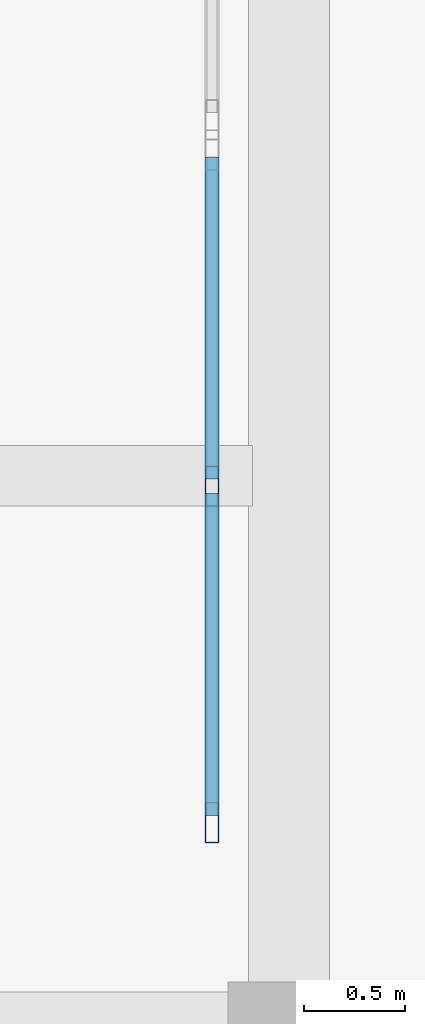
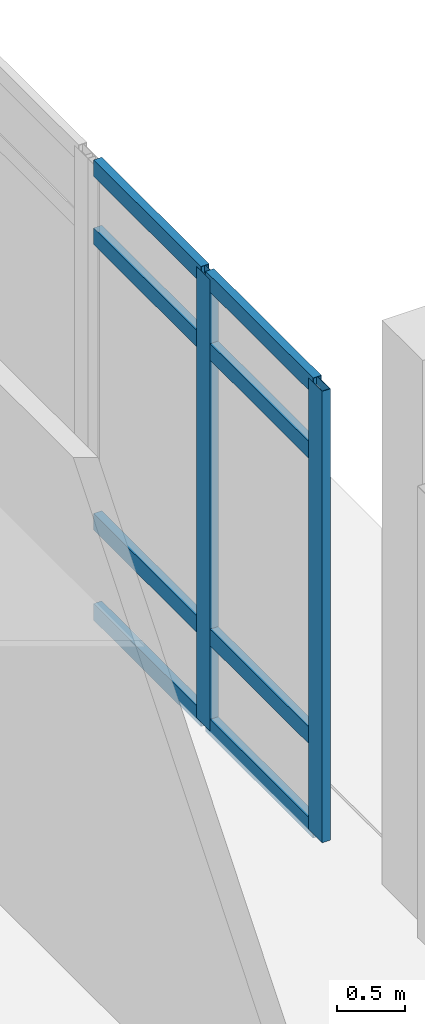
# One storey, part 28 of 64: 10 members, 1 element without a shape of its own.
"""IFC4 building model written with IfcOpenShell, lengths in metres."""

from ifc_helpers import new_model, si_unit, derived_unit, direction, frame, origin, origin_2d, place, context, subcontext, project, spatial, hollow_rectangle, extrude, material, layer, layer_set, material_profile, profile_set, type_object, element, aggregate, save


model = new_model("IFC4")

# Units and contexts
model_context = context("Model", 3, precision=1e-05, world=origin(), true_north=direction((0.0, 1.0)))
body_context = subcontext(model_context, "Body", "Model", "MODEL_VIEW")
ifc_project = project(units=[si_unit("LENGTHUNIT", "METRE"), si_unit("AREAUNIT", "SQUARE_METRE"), si_unit("VOLUMEUNIT", "CUBIC_METRE"), si_unit("PLANEANGLEUNIT", "RADIAN"), si_unit("MASSUNIT", "GRAM", prefix="KILO"), derived_unit("THERMALTRANSMITTANCEUNIT", [(si_unit("POWERUNIT", "WATT"), 1), (si_unit("LENGTHUNIT", "METRE"), -2), (si_unit("THERMODYNAMICTEMPERATUREUNIT", "KELVIN"), -1)])], contexts=[model_context])

# Site, building, storey
site_placement = place(None, origin())
site = spatial("IfcSite", under=ifc_project, at=site_placement, CompositionType="ELEMENT")
building_placement = place(site_placement, origin())
building = spatial("IfcBuilding", under=site, at=building_placement, Name="Elbkamm Science Centre", CompositionType="ELEMENT")
storey_placement = place(building_placement, origin())
storey = spatial("IfcBuildingStorey", under=building, at=storey_placement, Name="L00", CompositionType="ELEMENT", Elevation=0.0)

# Curtain wall, members
ifc_material_1 = material(Name="Powder-coated aluminium and triple low-E glazing", Category="aluminium")
ifc_layer = layer(ifc_material_1, 0.159912109375)
ifc_layer_set = layer_set([ifc_layer], Name="Powder-coated aluminium and triple low-E glazing")
curtain_wall_type = type_object("IfcCurtainWallType", Name="CW-UNIT-3400x4080", PredefinedType="USERDEFINED", material=ifc_layer_set)
curtain_wall_placement = place(storey_placement, origin())
curtain_wall = element("IfcCurtainWall", 1, at=curtain_wall_placement, inside=storey, type_object=curtain_wall_type, Name="L00 Unitised Curtain Wall 117", ObjectType="UNITISED CURTAIN WALL", PredefinedType="USERDEFINED")
ifc_material_2 = material(Name="Powder-coated aluminium EN AW-6060", Category="aluminium")
ifc_material_profile_1 = material_profile(ifc_material_2, hollow_rectangle(XDim=0.070068359375, YDim=0.199951171875, WallThickness=0.00439453125, at=origin_2d()), Name="ALU M70x200")
ifc_profile_set_1 = profile_set([ifc_material_profile_1], Name="Powder-coated aluminium EN AW-6060")
member_type_1 = type_object("IfcMemberType", Name="CW-MUL-70x200", PredefinedType="MULLION", material=ifc_profile_set_1)
member_1_placement = place(storey_placement, frame((160.419921875, 95.1474609375, 0.0), z_axis=(0.0, 0.0, 1.0), x_axis=(1.0, 0.0, 0.0)))
member_1 = element("IfcMember", 2, at=member_1_placement, type_object=member_type_1, Name="CW-058 mullion 2", PredefinedType="MULLION", context=body_context, shape_type="SweptSolid", body=[
    extrude(hollow_rectangle(XDim=0.070068359375, YDim=0.199951171875, WallThickness=0.00439453125, at=origin_2d()), origin(), (0.0, 0.0, 1.0), 4.080078125),
])
member_2_placement = place(storey_placement, frame((160.419921875, 93.487060546875, 0.0), z_axis=(0.0, 0.0, 1.0), x_axis=(1.0, 0.0, 0.0)))
member_2 = element("IfcMember", 3, at=member_2_placement, type_object=member_type_1, Name="CW-058 mullion 3", PredefinedType="MULLION", context=body_context, shape_type="SweptSolid", body=[
    extrude(hollow_rectangle(XDim=0.070068359375, YDim=0.199951171875, WallThickness=0.00439453125, at=origin_2d()), origin(), (0.0, 0.0, 1.0), 4.080078125),
])
ifc_material_profile_2 = material_profile(ifc_material_2, hollow_rectangle(XDim=0.070068359375, YDim=0.14990234375, WallThickness=0.00390625, at=origin_2d()), Name="ALU T70x150")
ifc_profile_set_2 = profile_set([ifc_material_profile_2], Name="Powder-coated aluminium EN AW-6060")
member_type_2 = type_object("IfcMemberType", Name="CW-TRN-70x150", PredefinedType="USERDEFINED", material=ifc_profile_set_2)
member_3_placement = place(storey_placement, frame((160.419921875, 96.772705078125, 0.034912109375), z_axis=(0.0, -1.0, 0.0), x_axis=(1.0, 0.0, 0.0)))
member_3 = element("IfcMember", 4, at=member_3_placement, type_object=member_type_2, Name="CW-058 transom 1.1", ObjectType="TRANSOM", PredefinedType="USERDEFINED", context=body_context, shape_type="SweptSolid", body=[
    extrude(hollow_rectangle(XDim=0.070068359375, YDim=0.14990234375, WallThickness=0.00390625, at=origin_2d()), origin(), (0.0, 0.0, 1.0), 1.59033203125),
])
member_4_placement = place(storey_placement, frame((160.419921875, 96.772705078125, 0.85009765625), z_axis=(0.0, -1.0, 0.0), x_axis=(1.0, 0.0, 0.0)))
member_4 = element("IfcMember", 5, at=member_4_placement, type_object=member_type_2, Name="CW-058 transom 1.2", ObjectType="TRANSOM", PredefinedType="USERDEFINED", context=body_context, shape_type="SweptSolid", body=[
    extrude(hollow_rectangle(XDim=0.070068359375, YDim=0.14990234375, WallThickness=0.00390625, at=origin_2d()), origin(), (0.0, 0.0, 1.0), 1.59033203125),
])
member_5_placement = place(storey_placement, frame((160.419921875, 96.772705078125, 3.429931640625), z_axis=(0.0, -1.0, 0.0), x_axis=(1.0, 0.0, 0.0)))
member_5 = element("IfcMember", 6, at=member_5_placement, type_object=member_type_2, Name="CW-058 transom 1.3", ObjectType="TRANSOM", PredefinedType="USERDEFINED", context=body_context, shape_type="SweptSolid", body=[
    extrude(hollow_rectangle(XDim=0.070068359375, YDim=0.14990234375, WallThickness=0.00390625, at=origin_2d()), origin(), (0.0, 0.0, 1.0), 1.59033203125),
])
member_6_placement = place(storey_placement, frame((160.419921875, 96.772705078125, 4.044921875), z_axis=(0.0, -1.0, 0.0), x_axis=(1.0, 0.0, 0.0)))
member_6 = element("IfcMember", 7, at=member_6_placement, type_object=member_type_2, Name="CW-058 transom 1.4", ObjectType="TRANSOM", PredefinedType="USERDEFINED", context=body_context, shape_type="SweptSolid", body=[
    extrude(hollow_rectangle(XDim=0.070068359375, YDim=0.14990234375, WallThickness=0.00390625, at=origin_2d()), origin(), (0.0, 0.0, 1.0), 1.59033203125),
])
member_7_placement = place(storey_placement, frame((160.419921875, 95.1123046875, 0.034912109375), z_axis=(0.0, -1.0, 0.0), x_axis=(1.0, 0.0, 0.0)))
member_7 = element("IfcMember", 8, at=member_7_placement, type_object=member_type_2, Name="CW-058 transom 2.1", ObjectType="TRANSOM", PredefinedType="USERDEFINED", context=body_context, shape_type="SweptSolid", body=[
    extrude(hollow_rectangle(XDim=0.070068359375, YDim=0.14990234375, WallThickness=0.00390625, at=origin_2d()), origin(), (0.0, 0.0, 1.0), 1.59033203125),
])
member_8_placement = place(storey_placement, frame((160.419921875, 95.1123046875, 0.85009765625), z_axis=(0.0, -1.0, 0.0), x_axis=(1.0, 0.0, 0.0)))
member_8 = element("IfcMember", 9, at=member_8_placement, type_object=member_type_2, Name="CW-058 transom 2.2", ObjectType="TRANSOM", PredefinedType="USERDEFINED", context=body_context, shape_type="SweptSolid", body=[
    extrude(hollow_rectangle(XDim=0.070068359375, YDim=0.14990234375, WallThickness=0.00390625, at=origin_2d()), origin(), (0.0, 0.0, 1.0), 1.59033203125),
])
member_9_placement = place(storey_placement, frame((160.419921875, 95.1123046875, 3.429931640625), z_axis=(0.0, -1.0, 0.0), x_axis=(1.0, 0.0, 0.0)))
member_9 = element("IfcMember", 10, at=member_9_placement, type_object=member_type_2, Name="CW-058 transom 2.3", ObjectType="TRANSOM", PredefinedType="USERDEFINED", context=body_context, shape_type="SweptSolid", body=[
    extrude(hollow_rectangle(XDim=0.070068359375, YDim=0.14990234375, WallThickness=0.00390625, at=origin_2d()), origin(), (0.0, 0.0, 1.0), 1.59033203125),
])
member_10_placement = place(storey_placement, frame((160.419921875, 95.1123046875, 4.044921875), z_axis=(0.0, -1.0, 0.0), x_axis=(1.0, 0.0, 0.0)))
member_10 = element("IfcMember", 11, at=member_10_placement, type_object=member_type_2, Name="CW-058 transom 2.4", ObjectType="TRANSOM", PredefinedType="USERDEFINED", context=body_context, shape_type="SweptSolid", body=[
    extrude(hollow_rectangle(XDim=0.070068359375, YDim=0.14990234375, WallThickness=0.00390625, at=origin_2d()), origin(), (0.0, 0.0, 1.0), 1.59033203125),
])
aggregate(curtain_wall, [member_1, member_2, member_3, member_4, member_5, member_6, member_7, member_8, member_9, member_10])

save(model, "model.ifc")
